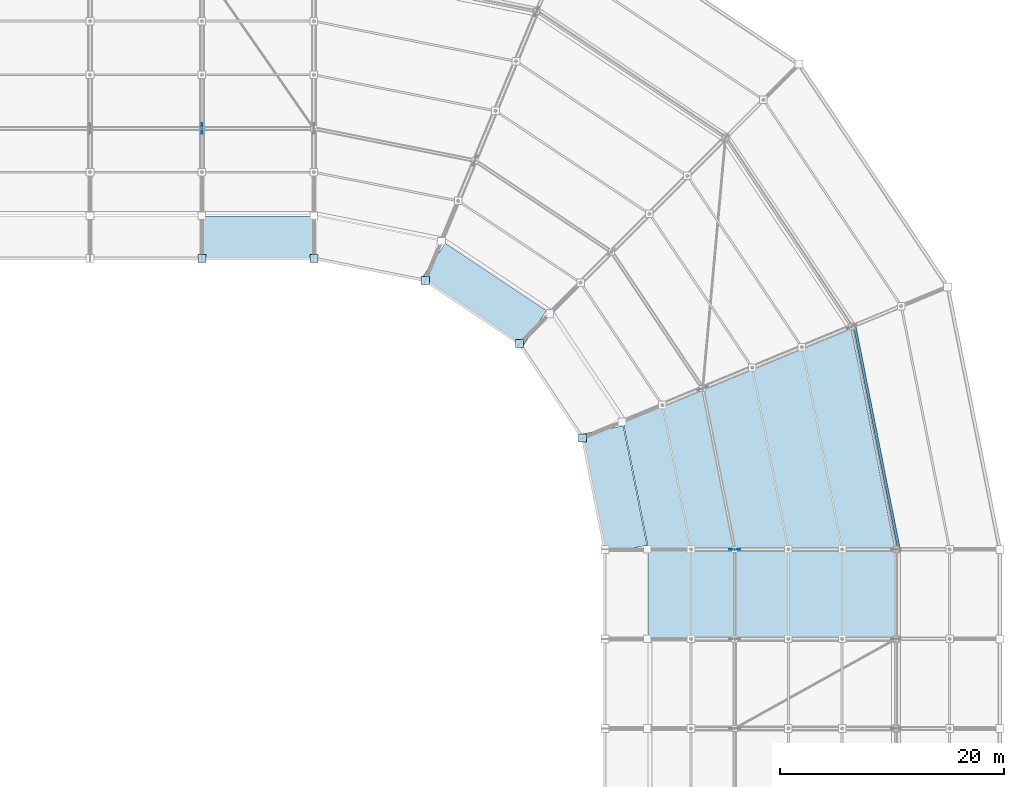
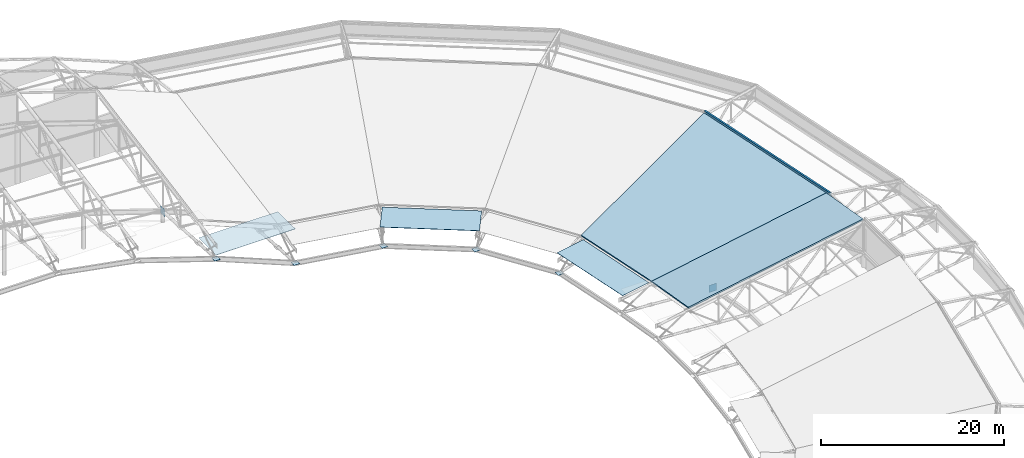
# One storey, part 116 of 146: 11 plates, 2 slabs.
"""IFC4 building model written with IfcOpenShell, lengths in metres."""

from ifc_helpers import new_model, si_unit, direction, frame, origin, origin_2d, place, context, subcontext, project, spatial, polyline, rectangle, outline, extrude, material, layer, layer_set, type_object, element, save


model = new_model("IFC4")

# Units and contexts
model_context = context("Model", 3, precision=1e-05, world=origin(), true_north=direction((0.0, 1.0)))
body_context = subcontext(model_context, "Body", "Model", "MODEL_VIEW")
ifc_project = project(units=[si_unit("LENGTHUNIT", "METRE"), si_unit("AREAUNIT", "SQUARE_METRE"), si_unit("VOLUMEUNIT", "CUBIC_METRE"), si_unit("PLANEANGLEUNIT", "RADIAN"), si_unit("MASSUNIT", "GRAM", prefix="KILO")], contexts=[model_context])

# Site, building, storey
site_placement = place(None, origin())
site = spatial("IfcSite", under=ifc_project, at=site_placement, CompositionType="ELEMENT")
building_placement = place(site_placement, origin())
building = spatial("IfcBuilding", under=site, at=building_placement, Name="Candeia Ridge Stadium", CompositionType="ELEMENT")
storey_placement = place(building_placement, frame((0.0, 0.0, 31.800048828125)))
storey = spatial("IfcBuildingStorey", under=building, at=storey_placement, Name="RF", CompositionType="ELEMENT", Elevation=31.800048828125)

# Plates
ifc_material_1 = material(Name="Aluminium Anodized Warm Bronze", Category="aluminium")
ifc_layer_1 = layer(ifc_material_1, 0.239990234375, Name="Aluminium Anodized Warm Bronze", Category="aluminium")
ifc_layer_set_1 = layer_set([ifc_layer_1], Name="Aluminium Anodized Warm Bronze")
plate_type_1 = type_object("IfcPlateType", Name="Crown Perforated Bronze Acoustic Screen", PredefinedType="SHEET", material=ifc_layer_set_1)
plate_1_placement = place(storey_placement, frame((191.290283203125, 105.00341796875, -0.3251953125), z_axis=(0.0, 0.0, 1.0), x_axis=(-0.195090318644, 0.980785281074, 0.0)))
element("IfcPlate", 1, at=plate_1_placement, inside=storey, type_object=plate_type_1, Name="Crown perforated bronze acoustic screen RF bay 33", PredefinedType="SHEET", context=body_context, shape_type="SweptSolid", body=[
    extrude(rectangle(XDim=20.798583984375, YDim=0.239990234375, at=origin_2d()), origin(), (0.0, 0.0, 1.0), 5.330078125),
])
ifc_material_2 = material(Name="Steel ASTM A572 Grade 50", Category="steel")
ifc_layer_2 = layer(ifc_material_2, 0.02490234375, Name="Steel ASTM A572 Grade 50", Category="steel")
ifc_layer_set_2 = layer_set([ifc_layer_2], Name="Steel ASTM A572 Grade 50")
plate_type_2 = type_object("IfcPlateType", Name="Hollow Section End Closure Plate CP2", PredefinedType="SHEET", material=ifc_layer_set_2)
for number, where, z_axis, x_axis, name in (
    (2, (141.0, 121.0, -1.972412109375), (0.0, 0.0, 1.0), (1.0, 0.0, 0.0), "Hollow section end closure plate BCAP-TIP-00"),
    (3, (131.0, 121.0, 2.10595703125), (0.0, 0.0, 1.0), (1.0, 0.0, 0.0), "Hollow section end closure plate BCAP-TIP-01"),
    (4, (165.020751953125, 104.94970703125, -1.972412109375), (0.0, 0.0, 1.0), (1.0, 0.0, 0.0), "Hollow section end closure plate BCAP-TIP-33"),
    (5, (159.384765625, 113.384765625, -1.972412109375), (0.0, 0.0, 1.0), (1.0, 0.0, 0.0), "Hollow section end closure plate BCAP-TIP-34"),
    (6, (150.94970703125, 119.020751953125, -1.972412109375), (0.0, 0.0, 1.0), (1.0, 0.0, 0.0), "Hollow section end closure plate BCAP-TIP-35"),
):
    element("IfcPlate", number, at=place(storey_placement, frame(where, z_axis=z_axis, x_axis=x_axis)), inside=storey, type_object=plate_type_2, Name=name, PredefinedType="SHEET", context=body_context, shape_type="SweptSolid", body=[
        extrude(rectangle(XDim=0.719970703125, YDim=0.719970703125, at=origin_2d()), origin(), (0.0, 0.0, 1.0), 0.02490234375),
    ])
ifc_material_3 = material(Name="Polycarbonate Multiwall Glazing", Category="glass")
ifc_layer_3 = layer(ifc_material_3, 0.034912109375, Name="Polycarbonate Multiwall Glazing", Category="glass")
ifc_layer_set_3 = layer_set([ifc_layer_3], Name="Polycarbonate Multiwall Glazing")
plate_type_3 = type_object("IfcPlateType", Name="Inner Roof Polycarbonate Daylight Panel DP1", PredefinedType="SHEET", material=ifc_layer_set_3)
plate_2_placement = place(storey_placement, frame((136.0, 122.89990234375, 2.5634765625), z_axis=(0.0, 0.0, 1.0), x_axis=(-1.0, 0.0, 0.0)))
element("IfcPlate", 7, at=plate_2_placement, inside=storey, type_object=plate_type_3, Name="Inner roof polycarbonate daylight ring panel 01", PredefinedType="SHEET", context=body_context, shape_type="SweptSolid", body=[
    extrude(rectangle(XDim=10.0, YDim=3.800048828125, at=origin_2d()), origin(), (0.0, 0.0, 1.0), 0.034912109375),
])
for number, where, z_axis, x_axis, name in (
    (8, (167.838134765625, 100.33837890625, 0.52392578125), (0.0, 0.0, 1.0), (-0.195090311899, 0.980785282416, 0.0), "Inner roof polycarbonate daylight ring panel 33"),
    (9, (156.20263671875, 117.752197265625, 0.52392578125), (0.0, 0.0, 1.0), (-0.831469588992, 0.555570267906, 0.0), "Inner roof polycarbonate daylight ring panel 35"),
):
    element("IfcPlate", number, at=place(storey_placement, frame(where, z_axis=z_axis, x_axis=x_axis)), inside=storey, type_object=plate_type_3, Name=name, PredefinedType="SHEET", context=body_context, shape_type="SweptSolid", body=[
        extrude(rectangle(XDim=10.885986328125, YDim=3.800048828125, at=origin_2d()), origin(), (0.0, 0.0, 1.0), 0.034912109375),
    ])
ifc_layer_4 = layer(ifc_material_2, 0.031982421875, Name="Steel ASTM A572 Grade 50", Category="steel")
ifc_layer_set_4 = layer_set([ifc_layer_4], Name="Steel ASTM A572 Grade 50")
plate_type_4 = type_object("IfcPlateType", Name="Roof Truss Inner Support Node Gusset ND-1", PredefinedType="USERDEFINED", material=ifc_layer_set_4)
for number, where, z_axis, x_axis, name in (
    (10, (131.0, 132.60009765625, 0.939453125), (0.0, 0.0, 1.0), (0.0, 1.0, 0.0), "Roof truss inner support node ND-1 bay 02"),
    (11, (178.60009765625, 95.0, -3.13916015625), (0.0, 0.0, 1.0), (1.0, 0.0, 0.0), "Roof truss inner support node ND-1 bay 33"),
):
    element("IfcPlate", number, at=place(storey_placement, frame(where, z_axis=z_axis, x_axis=x_axis)), inside=storey, type_object=plate_type_4, Name=name, ObjectType="GUSSET PLATE", PredefinedType="USERDEFINED", context=body_context, shape_type="SweptSolid", body=[
        extrude(rectangle(XDim=0.949951171875, YDim=0.031982421875, at=origin_2d()), origin(), (0.0, 0.0, 1.0), 0.949951171875),
    ])

# Slabs
ifc_layer_5 = layer(ifc_material_2, 0.179931640625, Name="Steel ASTM A572 Grade 50", Category="steel")
ifc_layer_set_5 = layer_set([ifc_layer_5], Name="Steel ASTM A572 Grade 50")
slab_type = type_object("IfcSlabType", Name="Saddle Roof Structural Deck 180", PredefinedType="ROOF", material=ifc_layer_set_5)
slab_1_placement = place(storey_placement, frame((170.89990234375, 87.0, 2.296875), z_axis=(-0.179303086408, 0.167824016943, 0.969373768235), x_axis=(0.0, 0.985342342027, -0.170588595774)))
element("IfcSlab", 12, at=slab_1_placement, inside=storey, type_object=slab_type, Name="Stadium saddle roof main deck bay 32", PredefinedType="ROOF", context=body_context, shape_type="SweptSolid", body=[
    extrude(outline(polyline([(0.0, 0.0), (8.119005607269688, -2.7755575615628914e-17), (7.424198589863221, -22.38275712362179), (-0.6948070174064663, -22.38275712362179), (0.0, 0.0)])), origin(), (0.0, 0.0, -1.0), 0.179931640625),
])
slab_2_placement = place(storey_placement, frame((170.89990234375, 95.0, 0.911865234375), z_axis=(-0.181763338981, -0.036153116313, 0.98267748564), x_axis=(-0.19508557751, 0.980786224132, -9.43866e-07)))
element("IfcSlab", 13, at=slab_2_placement, inside=storey, type_object=slab_type, Name="Stadium saddle roof main deck bay 33", PredefinedType="ROOF", context=body_context, shape_type="SweptSolid", body=[
    extrude(outline(polyline([(0.0, 0.0), (11.666043684987503, -4.440892098500626e-16), (15.96230742120128, -21.977804497045955), (-4.295792071394437, -21.977641905484266), (0.0, 0.0)])), origin(), (0.0, 0.0, -1.0), 0.179931640625),
])

save(model, "model.ifc")
